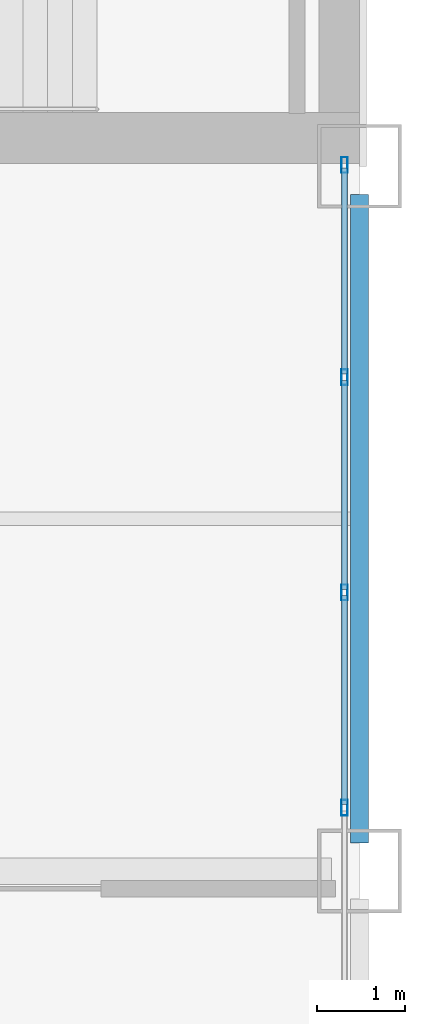
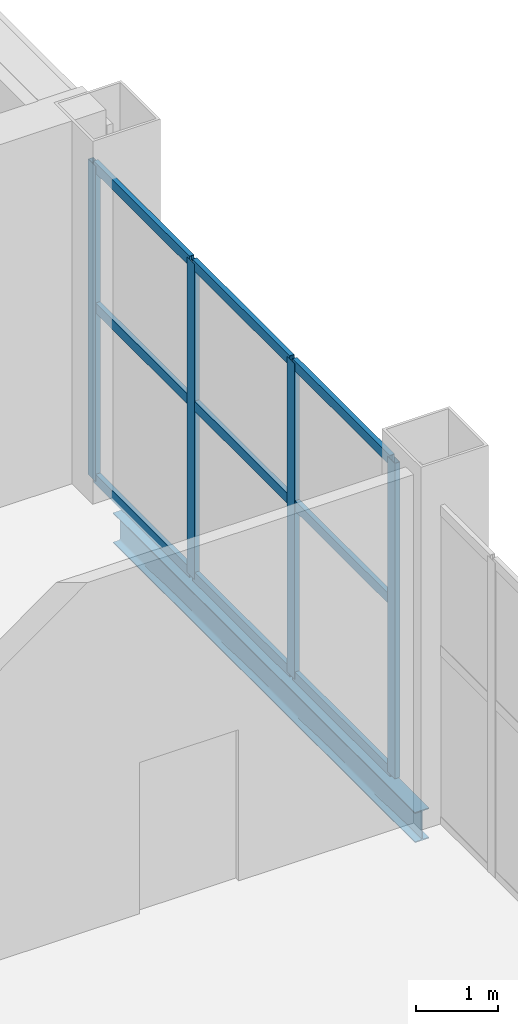
# One storey, part 14 of 23: 13 members, 1 beam, 1 element without a shape of its own.
"""IFC4 building model written with IfcOpenShell, lengths in metres."""

import ifcopenshell
import ifcopenshell.guid

model = None  # the IFC model being written
_history = None  # IfcOwnerHistory: only IFC2X3 demands one
_inside = {}  # id of a spatial element -> (the spatial element, [elements in it])
_under = {}  # id of a project, library or spatial element -> (it, [spatial elements below it])
_declared = {}  # id of a project -> (the project, [libraries it declares])
_typed = {}  # id of a type object -> (the type object, [elements of that type])
_made_of = {}  # id of a material, layer set ... -> (it, [elements and type objects made of it])


def new_model(schema):
    """Start an empty IFC model of exactly this schema.

    Asked for "IFC4X3", IfcOpenShell would pick the latest addendum, in which some entities
    have other attributes; the version numbers below select the first issue.
    IFC2X3 requires an IfcOwnerHistory on every rooted entity: one is made here for all.
    """
    global model, _history
    if schema == "IFC4X3":
        model = ifcopenshell.file(schema_version=(4, 3, 0, 0))
    else:
        model = ifcopenshell.file(schema=schema)
    _inside.clear()
    _under.clear()
    _declared.clear()
    _typed.clear()
    _made_of.clear()
    _history = None
    if model.schema == "IFC2X3":
        org = make("IfcOrganization", Name="unknown")
        user = make(
            "IfcPersonAndOrganization",
            ThePerson=make("IfcPerson", FamilyName="unknown"),
            TheOrganization=org,
        )
        app = make(
            "IfcApplication",
            ApplicationDeveloper=org,
            Version="unknown",
            ApplicationFullName="unknown",
            ApplicationIdentifier="unknown",
        )
        _history = make(
            "IfcOwnerHistory",
            OwningUser=user,
            OwningApplication=app,
            ChangeAction="ADDED",
            CreationDate=0,
        )
    return model


def make(cls, **values):
    """One entity of the class cls with the attributes given. An attribute that is None is left unset."""
    return model.create_entity(
        cls, **{name: value for name, value in values.items() if value is not None}
    )


def rooted(cls, **values):
    """An entity with a GlobalId (a new one), such as an element, a storey or a relation."""
    return make(cls, GlobalId=ifcopenshell.guid.new(), OwnerHistory=_history, **values)


def si_unit(unit_type, name, prefix=None):
    """IfcSIUnit, for example si_unit("LENGTHUNIT", "METRE", prefix="MILLI")."""
    return make("IfcSIUnit", UnitType=unit_type, Prefix=prefix, Name=name)


def assignment(units):
    """IfcUnitAssignment: the units of a project."""
    return None if units is None else make("IfcUnitAssignment", Units=units)


def point(xyz):
    """IfcCartesianPoint."""
    return None if xyz is None else make("IfcCartesianPoint", Coordinates=xyz)


def direction(xyz):
    """IfcDirection."""
    return None if xyz is None else make("IfcDirection", DirectionRatios=xyz)


def frame(location, z_axis=None, x_axis=None):
    """IfcAxis2Placement3D, a coordinate frame: its origin and axes. An axis left out is left unset."""
    return make(
        "IfcAxis2Placement3D",
        Location=point(location),
        Axis=direction(z_axis),
        RefDirection=direction(x_axis),
    )


def frame_2d(location, x_axis=None):
    """IfcAxis2Placement2D, a coordinate frame in the plane: its origin and x axis."""
    return make(
        "IfcAxis2Placement2D", Location=point(location), RefDirection=direction(x_axis)
    )


def origin():
    """The frame at (0, 0, 0) with its axes left unset."""
    return frame((0.0, 0.0, 0.0))


def origin_2d():
    """The frame at (0, 0) in the plane with its x axis left unset."""
    return frame_2d((0.0, 0.0))


def place(relative_to, where):
    """IfcLocalPlacement: puts the frame where relative to a parent placement (None: the world)."""
    return make(
        "IfcLocalPlacement", PlacementRelTo=relative_to, RelativePlacement=where
    )


def context(
    kind, dimensions, precision=None, world=None, true_north=None, identifier=None
):
    """IfcGeometricRepresentationContext, for example the 3D "Model" context."""
    return make(
        "IfcGeometricRepresentationContext",
        ContextIdentifier=identifier,
        ContextType=kind,
        CoordinateSpaceDimension=dimensions,
        Precision=precision,
        WorldCoordinateSystem=world,
        TrueNorth=true_north,
    )


def subcontext(parent, identifier, kind, view, scale=None):
    """IfcGeometricRepresentationSubContext, for example "Body" below "Model"."""
    return make(
        "IfcGeometricRepresentationSubContext",
        ContextIdentifier=identifier,
        ContextType=kind,
        ParentContext=parent,
        TargetScale=scale,
        TargetView=view,
    )


def project(units=None, contexts=None):
    """IfcProject with its units and contexts."""
    return rooted(
        "IfcProject",
        Name="project",
        RepresentationContexts=contexts,
        UnitsInContext=assignment(units),
    )


def spatial(cls, under=None, at=None, **own):
    """A site, building, storey or space (cls), placed at a placement, below another one or the project."""
    s = rooted(cls, ObjectPlacement=at, **own)
    if under is not None:
        _under.setdefault(under.id(), (under, []))[1].append(s)
    return s


def profile(cls, at=None, kind="AREA", **sizes):
    """A parametric profile (cls). Its sizes go by their IFC names, for example OverallWidth=200.0."""
    return make(cls, ProfileType=kind, Position=at, **sizes)


def hollow_rectangle(**sizes):
    """IfcRectangleHollowProfileDef."""
    return profile("IfcRectangleHollowProfileDef", **sizes)


def i_section(**sizes):
    """IfcIShapeProfileDef."""
    return profile("IfcIShapeProfileDef", **sizes)


def extrude(swept, where, along, depth):
    """IfcExtrudedAreaSolid: the profile swept, set in the frame where, extruded along a direction by depth."""
    return make(
        "IfcExtrudedAreaSolid",
        SweptArea=swept,
        Position=where,
        ExtrudedDirection=direction(along),
        Depth=depth,
    )


def shape(context_of_items, identifier, shape_type, items):
    """IfcShapeRepresentation: the items that make up one representation, for example the "Body"."""
    return make(
        "IfcShapeRepresentation",
        ContextOfItems=context_of_items,
        RepresentationIdentifier=identifier,
        RepresentationType=shape_type,
        Items=items,
    )


def material(Name=None, Category=None):
    """IfcMaterial."""
    return make("IfcMaterial", Name=Name, Category=Category)


def layer(
    of_material, thickness, ventilated=None, Name=None, Category=None, Priority=None
):
    """IfcMaterialLayer: one layer of a wall or slab, of a material (None: an air gap)."""
    return make(
        "IfcMaterialLayer",
        Material=of_material,
        LayerThickness=thickness,
        IsVentilated=ventilated,
        Name=Name,
        Category=Category,
        Priority=Priority,
    )


def layer_set(layers, Name=None):
    """IfcMaterialLayerSet."""
    return make("IfcMaterialLayerSet", MaterialLayers=layers, LayerSetName=Name)


def material_profile(
    of_material, cross_section, Name=None, Category=None, Priority=None
):
    """IfcMaterialProfile: a cross section and its material."""
    return make(
        "IfcMaterialProfile",
        Name=Name,
        Material=of_material,
        Profile=cross_section,
        Priority=Priority,
        Category=Category,
    )


def profile_set(profiles, Name=None, composite=None):
    """IfcMaterialProfileSet."""
    return make(
        "IfcMaterialProfileSet",
        Name=Name,
        MaterialProfiles=profiles,
        CompositeProfile=composite,
    )


def made_of(thing, what):
    """Note that an element or type object is made of a material, layer set ...; save() writes the relation."""
    if what is not None:
        _made_of.setdefault(what.id(), (what, []))[1].append(thing)
    return thing


def type_object(cls, material=None, **own):
    """A type object (cls), such as IfcWallType, which elements share."""
    return made_of(rooted(cls, **own), material)


def element(
    cls,
    number,
    at=None,
    inside=None,
    cuts=None,
    type_object=None,
    material=None,
    context=None,
    identifier="Body",
    shape_type=None,
    held_by="IfcProductDefinitionShape",
    body=None,
    shapes=None,
    **own,
):
    """One element of the class cls, such as IfcWall. Its Tag is "e" and its number.

    at: its placement. inside: the storey or other place that contains it. cuts: it is an
    opening in that element (IfcRelVoidsElement). A single representation is given by context,
    identifier, shape_type and body (its items); several are given by shapes. held_by: the class
    of the entity that holds the representations. save() writes the other relations.
    """
    e = rooted(cls, Tag="e%d" % number, ObjectPlacement=at, **own)
    if body is not None:
        shapes = [shape(context, identifier, shape_type, body)]
    if shapes is not None:
        e.Representation = make(held_by, Representations=shapes)
    if inside is not None:
        _inside.setdefault(inside.id(), (inside, []))[1].append(e)
    if cuts is not None:
        rooted(
            "IfcRelVoidsElement", RelatingBuildingElement=cuts, RelatedOpeningElement=e
        )
    if type_object is not None:
        _typed.setdefault(type_object.id(), (type_object, []))[1].append(e)
    return made_of(e, material)


def aggregate(whole, parts):
    """IfcRelAggregates: a whole, such as a stair, and the parts it consists of."""
    return rooted("IfcRelAggregates", RelatingObject=whole, RelatedObjects=parts)


def save(model, path):
    """Write the relations noted so far, then the file.

    IfcRelAggregates (storeys below a building ...), IfcRelContainedInSpatialStructure (elements
    in a storey), IfcRelDefinesByType, IfcRelAssociatesMaterial and IfcRelDeclares: one each for
    every whole, place, type object, material and project.
    """
    for whole, parts in _under.values():
        aggregate(whole, parts)
    for where, things in _inside.values():
        rooted(
            "IfcRelContainedInSpatialStructure",
            RelatedElements=things,
            RelatingStructure=where,
        )
    for kind, things in _typed.values():
        rooted("IfcRelDefinesByType", RelatedObjects=things, RelatingType=kind)
    for what, things in _made_of.values():
        rooted("IfcRelAssociatesMaterial", RelatedObjects=things, RelatingMaterial=what)
    for by, libraries in _declared.values():
        rooted("IfcRelDeclares", RelatingContext=by, RelatedDefinitions=libraries)
    model.write(path)


model = new_model("IFC4")

# Units and contexts
model_context = context("Model", 3, precision=1e-05, world=origin(), true_north=direction((0.0, 1.0)))
body_context = subcontext(model_context, "Body", "Model", "MODEL_VIEW")
ifc_project = project(units=[si_unit("LENGTHUNIT", "METRE"), si_unit("AREAUNIT", "SQUARE_METRE"), si_unit("VOLUMEUNIT", "CUBIC_METRE"), si_unit("PLANEANGLEUNIT", "RADIAN"), si_unit("MASSUNIT", "GRAM", prefix="KILO")], contexts=[model_context])

# Site, building, storey
site_placement = place(None, origin())
site = spatial("IfcSite", under=ifc_project, at=site_placement, CompositionType="ELEMENT")
building_placement = place(site_placement, origin())
building = spatial("IfcBuilding", under=site, at=building_placement, Name="Qianrong Seaharbour Tower", CompositionType="ELEMENT")
storey_placement = place(building_placement, frame((0.0, 0.0, 281.800048828125)))
storey = spatial("IfcBuildingStorey", under=building, at=storey_placement, Name="L68", CompositionType="ELEMENT", Elevation=281.800048828125)

# Beam
ifc_material_1 = material(Name="Structural steel SN400B", Category="steel")
ifc_material_profile_1 = material_profile(ifc_material_1, i_section(OverallWidth=0.199951171875, OverallDepth=0.449951171875, WebThickness=0.009033203125, FlangeThickness=0.013916015625, FilletRadius=0.01806640625, at=origin_2d()), Name="H450x200x9x14")
ifc_profile_set_1 = profile_set([ifc_material_profile_1], Name="Structural steel SN400B")
beam_type = type_object("IfcBeamType", Name="BM-SP-450", PredefinedType="SPANDREL", material=ifc_profile_set_1)
beam_placement = place(storey_placement, frame((64.0, 28.320068359375, -0.574951171875), z_axis=(0.0, 1.0, 0.0), x_axis=(-1.0, 0.0, 0.0)))
element("IfcBeam", 1, at=beam_placement, inside=storey, type_object=beam_type, Name="L68 Spandrel Girder G9 GE-GF", PredefinedType="SPANDREL", context=body_context, shape_type="SweptSolid", body=[
    extrude(i_section(OverallWidth=0.199951171875, OverallDepth=0.449951171875, WebThickness=0.009033203125, FlangeThickness=0.013916015625, FilletRadius=0.01806640625, at=origin_2d()), origin(), (0.0, 0.0, 1.0), 7.35986328125),
])

# Curtain wall, members
ifc_material_2 = material(Name="Anodised aluminium 6063-T6 and laminated low-e glass", Category="aluminium")
ifc_layer = layer(ifc_material_2, 0.18505859375)
ifc_layer_set = layer_set([ifc_layer], Name="Anodised aluminium 6063-T6 and laminated low-e glass")
curtain_wall_type = type_object("IfcCurtainWallType", Name="CW-SYS-4", PredefinedType="NOTDEFINED", material=ifc_layer_set)
curtain_wall_placement = place(storey_placement, origin())
curtain_wall = element("IfcCurtainWall", 2, at=curtain_wall_placement, inside=storey, type_object=curtain_wall_type, Name="L68 Refuge Acoustic Louvre Curtain Wall EAST_WING", PredefinedType="NOTDEFINED")
ifc_material_3 = material(Name="Extruded aluminium 6063-T6", Category="aluminium")
ifc_material_profile_2 = material_profile(ifc_material_3, hollow_rectangle(XDim=0.070068359375, YDim=0.179931640625, WallThickness=0.00390625, at=origin_2d()), Name="ALU-MUL-180x70x4")
ifc_profile_set_2 = profile_set([ifc_material_profile_2], Name="Extruded aluminium 6063-T6")
member_type_1 = type_object("IfcMemberType", Name="CW-MUL-180", PredefinedType="MULLION", material=ifc_profile_set_2)
member_1_placement = place(storey_placement, frame((63.830078125, 36.014892578125, 0.0), z_axis=(0.0, 0.0, 1.0), x_axis=(1.0, 0.0, 0.0)))
member_1 = element("IfcMember", 3, at=member_1_placement, type_object=member_type_1, Name="CW-4 mullion 1", PredefinedType="MULLION", context=body_context, shape_type="SweptSolid", body=[
    extrude(hollow_rectangle(XDim=0.070068359375, YDim=0.179931640625, WallThickness=0.00390625, at=origin_2d()), origin(), (0.0, 0.0, 1.0), 4.695068359375),
])
member_2_placement = place(storey_placement, frame((63.830078125, 33.606201171875, 0.0), z_axis=(0.0, 0.0, 1.0), x_axis=(1.0, 0.0, 0.0)))
member_2 = element("IfcMember", 4, at=member_2_placement, type_object=member_type_1, Name="CW-4 mullion 2", PredefinedType="MULLION", context=body_context, shape_type="SweptSolid", body=[
    extrude(hollow_rectangle(XDim=0.070068359375, YDim=0.179931640625, WallThickness=0.00390625, at=origin_2d()), origin(), (0.0, 0.0, 1.0), 4.695068359375),
])
member_3_placement = place(storey_placement, frame((63.830078125, 31.16259765625, 0.0), z_axis=(0.0, 0.0, 1.0), x_axis=(1.0, 0.0, 0.0)))
member_3 = element("IfcMember", 5, at=member_3_placement, type_object=member_type_1, Name="CW-4 mullion 3", PredefinedType="MULLION", context=body_context, shape_type="SweptSolid", body=[
    extrude(hollow_rectangle(XDim=0.070068359375, YDim=0.179931640625, WallThickness=0.00390625, at=origin_2d()), origin(), (0.0, 0.0, 1.0), 4.695068359375),
])
member_4_placement = place(storey_placement, frame((63.830078125, 28.71875, 0.0), z_axis=(0.0, 0.0, 1.0), x_axis=(1.0, 0.0, 0.0)))
member_4 = element("IfcMember", 6, at=member_4_placement, type_object=member_type_1, Name="CW-4 mullion 4", PredefinedType="MULLION", context=body_context, shape_type="SweptSolid", body=[
    extrude(hollow_rectangle(XDim=0.070068359375, YDim=0.179931640625, WallThickness=0.00390625, at=origin_2d()), origin(), (0.0, 0.0, 1.0), 4.695068359375),
])
ifc_material_profile_3 = material_profile(ifc_material_3, hollow_rectangle(XDim=0.06494140625, YDim=0.14990234375, WallThickness=0.00390625, at=origin_2d()), Name="ALU-TRN-150x65x4")
ifc_profile_set_3 = profile_set([ifc_material_profile_3], Name="Extruded aluminium 6063-T6")
member_type_2 = type_object("IfcMemberType", Name="CW-TRN-150", PredefinedType="USERDEFINED", material=ifc_profile_set_3)
member_5_placement = place(storey_placement, frame((63.830078125, 35.97998046875, 0.032470703125), z_axis=(0.0, -1.0, 0.0), x_axis=(1.0, 0.0, 0.0)))
member_5 = element("IfcMember", 7, at=member_5_placement, type_object=member_type_2, Name="CW-4 transom 1.1", ObjectType="TRANSOM", PredefinedType="USERDEFINED", context=body_context, shape_type="SweptSolid", body=[
    extrude(hollow_rectangle(XDim=0.06494140625, YDim=0.14990234375, WallThickness=0.00390625, at=origin_2d()), origin(), (0.0, 0.0, 1.0), 2.338623046875),
])
member_6_placement = place(storey_placement, frame((63.830078125, 35.97998046875, 2.58203125), z_axis=(0.0, -1.0, 0.0), x_axis=(1.0, 0.0, 0.0)))
member_6 = element("IfcMember", 8, at=member_6_placement, type_object=member_type_2, Name="CW-4 transom 1.2", ObjectType="TRANSOM", PredefinedType="USERDEFINED", context=body_context, shape_type="SweptSolid", body=[
    extrude(hollow_rectangle(XDim=0.06494140625, YDim=0.14990234375, WallThickness=0.00390625, at=origin_2d()), origin(), (0.0, 0.0, 1.0), 2.338623046875),
])
member_7_placement = place(storey_placement, frame((63.830078125, 35.97998046875, 4.662353515625), z_axis=(0.0, -1.0, 0.0), x_axis=(1.0, 0.0, 0.0)))
member_7 = element("IfcMember", 9, at=member_7_placement, type_object=member_type_2, Name="CW-4 transom 1.3", ObjectType="TRANSOM", PredefinedType="USERDEFINED", context=body_context, shape_type="SweptSolid", body=[
    extrude(hollow_rectangle(XDim=0.06494140625, YDim=0.14990234375, WallThickness=0.00390625, at=origin_2d()), origin(), (0.0, 0.0, 1.0), 2.338623046875),
])
member_8_placement = place(storey_placement, frame((63.830078125, 33.5712890625, 0.032470703125), z_axis=(0.0, -1.0, 0.0), x_axis=(1.0, 0.0, 0.0)))
member_8 = element("IfcMember", 10, at=member_8_placement, type_object=member_type_2, Name="CW-4 transom 2.1", ObjectType="TRANSOM", PredefinedType="USERDEFINED", context=body_context, shape_type="SweptSolid", body=[
    extrude(hollow_rectangle(XDim=0.06494140625, YDim=0.14990234375, WallThickness=0.00390625, at=origin_2d()), origin(), (0.0, 0.0, 1.0), 2.373779296875),
])
member_9_placement = place(storey_placement, frame((63.830078125, 33.5712890625, 2.58203125), z_axis=(0.0, -1.0, 0.0), x_axis=(1.0, 0.0, 0.0)))
member_9 = element("IfcMember", 11, at=member_9_placement, type_object=member_type_2, Name="CW-4 transom 2.2", ObjectType="TRANSOM", PredefinedType="USERDEFINED", context=body_context, shape_type="SweptSolid", body=[
    extrude(hollow_rectangle(XDim=0.06494140625, YDim=0.14990234375, WallThickness=0.00390625, at=origin_2d()), origin(), (0.0, 0.0, 1.0), 2.373779296875),
])
member_10_placement = place(storey_placement, frame((63.830078125, 33.5712890625, 4.662353515625), z_axis=(0.0, -1.0, 0.0), x_axis=(1.0, 0.0, 0.0)))
member_10 = element("IfcMember", 12, at=member_10_placement, type_object=member_type_2, Name="CW-4 transom 2.3", ObjectType="TRANSOM", PredefinedType="USERDEFINED", context=body_context, shape_type="SweptSolid", body=[
    extrude(hollow_rectangle(XDim=0.06494140625, YDim=0.14990234375, WallThickness=0.00390625, at=origin_2d()), origin(), (0.0, 0.0, 1.0), 2.373779296875),
])
member_11_placement = place(storey_placement, frame((63.830078125, 31.12744140625, 0.032470703125), z_axis=(0.0, -1.0, 0.0), x_axis=(1.0, 0.0, 0.0)))
member_11 = element("IfcMember", 13, at=member_11_placement, type_object=member_type_2, Name="CW-4 transom 3.1", ObjectType="TRANSOM", PredefinedType="USERDEFINED", context=body_context, shape_type="SweptSolid", body=[
    extrude(hollow_rectangle(XDim=0.06494140625, YDim=0.14990234375, WallThickness=0.00390625, at=origin_2d()), origin(), (0.0, 0.0, 1.0), 2.373779296875),
])
member_12_placement = place(storey_placement, frame((63.830078125, 31.12744140625, 2.58203125), z_axis=(0.0, -1.0, 0.0), x_axis=(1.0, 0.0, 0.0)))
member_12 = element("IfcMember", 14, at=member_12_placement, type_object=member_type_2, Name="CW-4 transom 3.2", ObjectType="TRANSOM", PredefinedType="USERDEFINED", context=body_context, shape_type="SweptSolid", body=[
    extrude(hollow_rectangle(XDim=0.06494140625, YDim=0.14990234375, WallThickness=0.00390625, at=origin_2d()), origin(), (0.0, 0.0, 1.0), 2.373779296875),
])
member_13_placement = place(storey_placement, frame((63.830078125, 31.12744140625, 4.662353515625), z_axis=(0.0, -1.0, 0.0), x_axis=(1.0, 0.0, 0.0)))
member_13 = element("IfcMember", 15, at=member_13_placement, type_object=member_type_2, Name="CW-4 transom 3.3", ObjectType="TRANSOM", PredefinedType="USERDEFINED", context=body_context, shape_type="SweptSolid", body=[
    extrude(hollow_rectangle(XDim=0.06494140625, YDim=0.14990234375, WallThickness=0.00390625, at=origin_2d()), origin(), (0.0, 0.0, 1.0), 2.373779296875),
])
aggregate(curtain_wall, [member_1, member_2, member_3, member_4, member_5, member_6, member_7, member_8, member_9, member_10, member_11, member_12, member_13])

save(model, "model.ifc")
